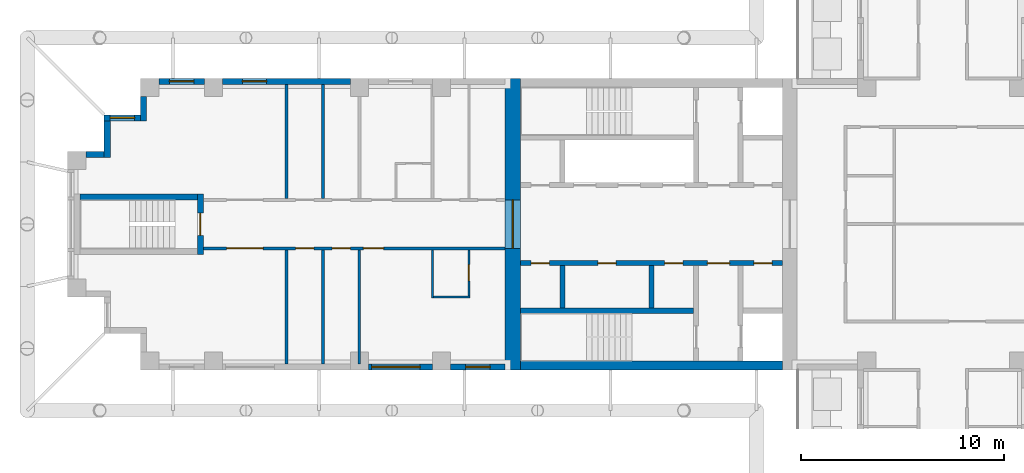
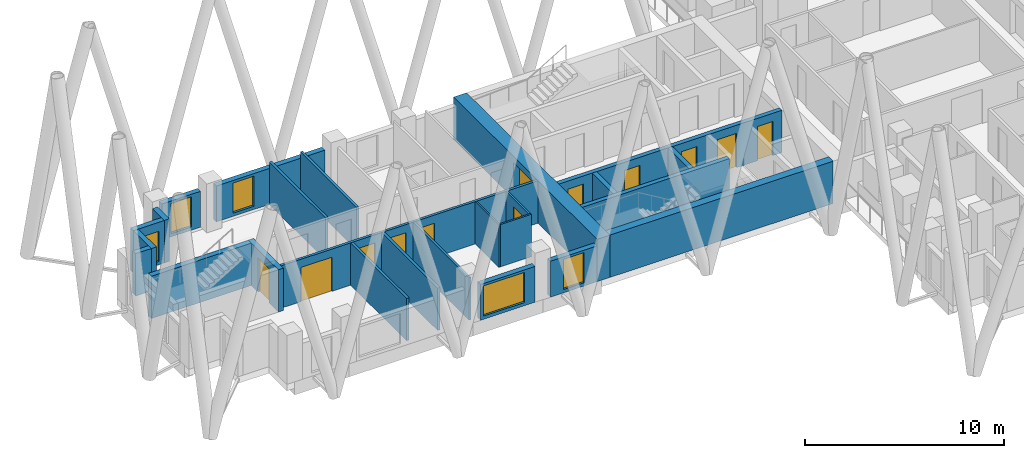
# One storey, part 3 of 13: 25 walls, 12 doors, 5 windows, 17 openings.
"""IFC4 building model written with IfcOpenShell, lengths in metres."""

from ifc_helpers import new_model, si_unit, direction, frame, frame_2d, origin, place, context, subcontext, project, spatial, rectangle, extrude, material, layer, layer_set, type_object, element, fill, save


model = new_model("IFC4")

# Units and contexts
model_context = context("Model", 3, precision=1e-05, world=origin(), true_north=direction((0.0, 1.0)))
body_context = subcontext(model_context, "Body", "Model", "MODEL_VIEW")
ifc_project = project(units=[si_unit("LENGTHUNIT", "METRE"), si_unit("AREAUNIT", "SQUARE_METRE"), si_unit("VOLUMEUNIT", "CUBIC_METRE"), si_unit("PLANEANGLEUNIT", "RADIAN"), si_unit("MASSUNIT", "GRAM", prefix="KILO")], contexts=[model_context])

# Site, building, storey
site_placement = place(None, origin())
site = spatial("IfcSite", under=ifc_project, at=site_placement, CompositionType="ELEMENT")
building_placement = place(site_placement, origin())
building = spatial("IfcBuilding", under=site, at=building_placement, Name="Fustian Cross Tower", CompositionType="ELEMENT")
storey_placement = place(building_placement, frame((0.0, 0.0, 153.300048828125)))
storey = spatial("IfcBuildingStorey", under=building, at=storey_placement, Name="L48", CompositionType="ELEMENT", Elevation=153.300048828125)

# Wall, openings, doors
ifc_material_1 = material(Name="Plasterboard on steel stud", Category="steel")
ifc_layer_1 = layer(ifc_material_1, 0.14990234375)
ifc_layer_set_1 = layer_set([ifc_layer_1], Name="Plasterboard on steel stud")
wall_type_1 = type_object("IfcWallType", Name="COMPARTMENT WALL 150 EI 60", PredefinedType="PARTITIONING", material=ifc_layer_set_1)
wall_1_placement = place(storey_placement, frame((-36.5, -1.199951171875, 0.0), z_axis=(0.0, 0.0, 1.0), x_axis=(1.0, 0.0, 0.0)))
wall_1 = element("IfcWall", 1, at=wall_1_placement, inside=storey, type_object=wall_type_1, Name="Partition 1", PredefinedType="PARTITIONING", context=body_context, shape_type="SweptSolid", body=[
    extrude(rectangle(XDim=14.89990234375, YDim=0.14990234375, at=frame_2d((7.449951171875, 0.0))), origin(), (0.0, 0.0, 1.0), 2.599853515625),
])
opening_1_placement = place(wall_1_placement, frame((7.89990234375, 0.0, 0.0)))
opening_1 = element("IfcOpeningElement", 2, at=opening_1_placement, cuts=wall_1, Name="Opening D21027", PredefinedType="OPENING", context=body_context, shape_type="SweptSolid", body=[
    extrude(rectangle(XDim=1.0, YDim=2.10009765625, at=frame_2d((0.5, 1.050048828125))), frame((0.0, 0.0849609375, 0.0), z_axis=(0.0, -1.0, 0.0), x_axis=(1.0, 0.0, 0.0)), (0.0, 0.0, 1.0), 0.169921875),
])
opening_2_placement = place(wall_1_placement, frame((6.35009765625, 0.0, 0.0)))
opening_2 = element("IfcOpeningElement", 3, at=opening_2_placement, cuts=wall_1, Name="Opening D21028", PredefinedType="OPENING", context=body_context, shape_type="SweptSolid", body=[
    extrude(rectangle(XDim=0.89990234375, YDim=2.10009765625, at=frame_2d((0.449951171875, 1.050048828125))), frame((0.0, 0.0849609375, 0.0), z_axis=(0.0, -1.0, 0.0), x_axis=(1.0, 0.0, 0.0)), (0.0, 0.0, 1.0), 0.169921875),
])
opening_3_placement = place(wall_1_placement, frame((4.550048828125, 0.0, 0.0)))
opening_3 = element("IfcOpeningElement", 4, at=opening_3_placement, cuts=wall_1, Name="Opening D21029", PredefinedType="OPENING", context=body_context, shape_type="SweptSolid", body=[
    extrude(rectangle(XDim=0.89990234375, YDim=2.10009765625, at=frame_2d((0.449951171875, 1.050048828125))), frame((0.0, 0.0849609375, 0.0), z_axis=(0.0, -1.0, 0.0), x_axis=(1.0, 0.0, 0.0)), (0.0, 0.0, 1.0), 0.169921875),
])
opening_4_placement = place(wall_1_placement, frame((1.14990234375, 0.0, 0.0)))
opening_4 = element("IfcOpeningElement", 5, at=opening_4_placement, cuts=wall_1, Name="Opening D21030", PredefinedType="OPENING", context=body_context, shape_type="SweptSolid", body=[
    extrude(rectangle(XDim=1.800048828125, YDim=2.10009765625, at=frame_2d((0.89990234375, 1.050048828125))), frame((0.0, 0.0849609375, 0.0), z_axis=(0.0, -1.0, 0.0), x_axis=(1.0, 0.0, 0.0)), (0.0, 0.0, 1.0), 0.169921875),
])
ifc_material_2 = material(Name="Timber fire door set", Category="wood")
door_type_1 = type_object("IfcDoorType", Name="FIRE DOUBLE DOOR 1800 FD30S", OperationType="DOUBLE_DOOR_DOUBLE_SWING", PredefinedType="DOOR", material=ifc_material_2)
door_1_placement = place(opening_4_placement, origin())
door_1 = element("IfcDoor", 6, at=door_1_placement, inside=storey, type_object=door_type_1, Name="Door D21030", OperationType="DOUBLE_DOOR_DOUBLE_SWING", OverallHeight=2.10009765625, OverallWidth=1.800048828125, PredefinedType="DOOR", context=body_context, shape_type="SweptSolid", body=[
    extrude(rectangle(XDim=1.800048828125, YDim=2.10009765625, at=frame_2d((0.89990234375, 1.050048828125))), frame((0.0, 0.02490234375, 0.0), z_axis=(0.0, -1.0, 0.0), x_axis=(1.0, 0.0, 0.0)), (0.0, 0.0, 1.0), 0.050048828125),
])
fill(opening_4, door_1)
ifc_material_3 = material(Name="Timber fire door set", Category="wood")
door_type_2 = type_object("IfcDoorType", Name="FIRE SWING DOOR 1000 FD30S", OperationType="SINGLE_SWING_LEFT", PredefinedType="DOOR", material=ifc_material_3)
door_2_placement = place(opening_1_placement, frame((1.0, 0.0, 0.0), z_axis=(0.0, 0.0, 1.0), x_axis=(-1.0, 0.0, 0.0)))
door_2 = element("IfcDoor", 7, at=door_2_placement, inside=storey, type_object=door_type_2, Name="Door D21027", OperationType="SINGLE_SWING_RIGHT", OverallHeight=2.10009765625, OverallWidth=1.0, PredefinedType="DOOR", context=body_context, shape_type="SweptSolid", body=[
    extrude(rectangle(XDim=1.0, YDim=2.10009765625, at=frame_2d((0.5, 1.050048828125))), frame((0.0, 0.02490234375, 0.0), z_axis=(0.0, -1.0, 0.0), x_axis=(1.0, 0.0, 0.0)), (0.0, 0.0, 1.0), 0.050048828125),
])
fill(opening_1, door_2)
ifc_material_4 = material(Name="Timber fire door set", Category="wood")
door_type_3 = type_object("IfcDoorType", Name="FIRE SWING DOOR 900 FD30S", OperationType="SINGLE_SWING_LEFT", PredefinedType="DOOR", material=ifc_material_4)
door_3_placement = place(opening_2_placement, frame((0.89990234375, 0.0, 0.0), z_axis=(0.0, 0.0, 1.0), x_axis=(-1.0, 0.0, 0.0)))
door_3 = element("IfcDoor", 8, at=door_3_placement, inside=storey, type_object=door_type_3, Name="Door D21028", OperationType="SINGLE_SWING_LEFT", OverallHeight=2.10009765625, OverallWidth=0.89990234375, PredefinedType="DOOR", context=body_context, shape_type="SweptSolid", body=[
    extrude(rectangle(XDim=0.89990234375, YDim=2.10009765625, at=frame_2d((0.449951171875, 1.050048828125))), frame((0.0, 0.02490234375, 0.0), z_axis=(0.0, -1.0, 0.0), x_axis=(1.0, 0.0, 0.0)), (0.0, 0.0, 1.0), 0.050048828125),
])
fill(opening_2, door_3)
door_4_placement = place(opening_3_placement, frame((0.89990234375, 0.0, 0.0), z_axis=(0.0, 0.0, 1.0), x_axis=(-1.0, 0.0, 0.0)))
door_4 = element("IfcDoor", 9, at=door_4_placement, inside=storey, type_object=door_type_3, Name="Door D21029", OperationType="SINGLE_SWING_LEFT", OverallHeight=2.10009765625, OverallWidth=0.89990234375, PredefinedType="DOOR", context=body_context, shape_type="SweptSolid", body=[
    extrude(rectangle(XDim=0.89990234375, YDim=2.10009765625, at=frame_2d((0.449951171875, 1.050048828125))), frame((0.0, 0.02490234375, 0.0), z_axis=(0.0, -1.0, 0.0), x_axis=(1.0, 0.0, 0.0)), (0.0, 0.0, 1.0), 0.050048828125),
])
fill(opening_3, door_4)

# Walls
for number, where, z_axis, x_axis, name in (
    (10, (-32.39990234375, -6.89990234375, 0.0), (0.0, 0.0, 1.0), (0.0, 1.0, 0.0), "Partition 3"),
    (11, (-32.39990234375, 1.27490234375, 0.0), (0.0, 0.0, 1.0), (0.0, 1.0, 0.0), "Partition 4"),
    (12, (-30.60009765625, -6.89990234375, 0.0), (0.0, 0.0, 1.0), (0.0, 1.0, 0.0), "Partition 5"),
    (13, (-30.60009765625, 1.27490234375, 0.0), (0.0, 0.0, 1.0), (0.0, 1.0, 0.0), "Partition 6"),
):
    element("IfcWall", number, at=place(storey_placement, frame(where, z_axis=z_axis, x_axis=x_axis)), inside=storey, type_object=wall_type_1, Name=name, PredefinedType="PARTITIONING", context=body_context, shape_type="SweptSolid", body=[
        extrude(rectangle(XDim=5.625, YDim=0.14990234375, at=frame_2d((2.8125, 0.0))), origin(), (0.0, 0.0, 1.0), 2.599853515625),
    ])

# Wall, opening, door
ifc_material_5 = material(Name="Concrete C60/75", Category="concrete")
ifc_layer_2 = layer(ifc_material_5, 0.75)
ifc_layer_set_2 = layer_set([ifc_layer_2], Name="Concrete C60/75")
wall_type_2 = type_object("IfcWallType", Name="CORE END WALL 750 C60/75", PredefinedType="SHEAR", material=ifc_layer_set_2)
wall_2_placement = place(storey_placement, frame((-21.22509765625, -7.199951171875, 0.0), z_axis=(0.0, 0.0, 1.0), x_axis=(0.0, 1.0, 0.0)))
wall_2 = element("IfcWall", 14, at=wall_2_placement, inside=storey, type_object=wall_type_2, Name="Core end wall", PredefinedType="SHEAR", context=body_context, shape_type="SweptSolid", body=[
    extrude(rectangle(XDim=14.39990234375, YDim=0.75, at=frame_2d((7.199951171875, 0.0))), origin(), (0.0, 0.0, 1.0), 2.599853515625),
])
opening_5_placement = place(wall_2_placement, frame((6.0, 0.0, 0.0)))
opening_5 = element("IfcOpeningElement", 15, at=opening_5_placement, cuts=wall_2, Name="Opening CD-16-30", PredefinedType="OPENING", context=body_context, shape_type="SweptSolid", body=[
    extrude(rectangle(XDim=2.39990234375, YDim=2.199951171875, at=frame_2d((1.199951171875, 1.10009765625))), frame((0.0, 0.385009765625, 0.0), z_axis=(0.0, -1.0, 0.0), x_axis=(1.0, 0.0, 0.0)), (0.0, 0.0, 1.0), 0.77001953125),
])
ifc_material_6 = material(Name="Steel", Category="steel")
door_type_4 = type_object("IfcDoorType", Name="FIRE DOOR FD30S DOUBLE 2400X2200", OperationType="DOUBLE_DOOR_DOUBLE_SWING", PredefinedType="DOOR", material=ifc_material_6)
door_5_placement = place(opening_5_placement, frame((2.39990234375, 0.0, 0.0), z_axis=(0.0, 0.0, 1.0), x_axis=(-1.0, 0.0, 0.0)))
door_5 = element("IfcDoor", 16, at=door_5_placement, inside=storey, type_object=door_type_4, Name="Core door CD-16-30", OperationType="DOUBLE_DOOR_DOUBLE_SWING", OverallHeight=2.199951171875, OverallWidth=2.39990234375, PredefinedType="DOOR", context=body_context, shape_type="SweptSolid", body=[
    extrude(rectangle(XDim=2.39990234375, YDim=2.199951171875, at=frame_2d((1.199951171875, 1.10009765625))), frame((0.0, 0.02490234375, 0.0), z_axis=(0.0, -1.0, 0.0), x_axis=(1.0, 0.0, 0.0)), (0.0, 0.0, 1.0), 0.050048828125),
])
fill(opening_5, door_5)

# Wall
ifc_material_7 = material(Name="Concrete C60/75", Category="concrete")
ifc_layer_3 = layer(ifc_material_7, 0.449951171875)
ifc_layer_set_3 = layer_set([ifc_layer_3], Name="Concrete C60/75")
wall_type_3 = type_object("IfcWallType", Name="CORE FACADE WALL 450 C60/75", PredefinedType="SHEAR", material=ifc_layer_set_3)
wall_3_placement = place(storey_placement, frame((-7.89990234375, -6.97509765625, 0.0), z_axis=(0.0, 0.0, 1.0), x_axis=(-1.0, 0.0, 0.0)))
element("IfcWall", 17, at=wall_3_placement, inside=storey, type_object=wall_type_3, Name="Core facade wall", PredefinedType="SHEAR", context=body_context, shape_type="SweptSolid", body=[
    extrude(rectangle(XDim=12.9501953125, YDim=0.449951171875, at=frame_2d((6.47509765625, 0.0))), origin(), (0.0, 0.0, 1.0), 2.599853515625),
])

# Wall, openings, doors
ifc_material_8 = material(Name="Concrete C50/60", Category="concrete")
ifc_layer_4 = layer(ifc_material_8, 0.25)
ifc_layer_set_4 = layer_set([ifc_layer_4], Name="Concrete C50/60")
wall_type_4 = type_object("IfcWallType", Name="CORE LOBBY WALL 250 C50/60", PredefinedType="SHEAR", material=ifc_layer_set_4)
wall_4_placement = place(storey_placement, frame((-7.89990234375, -1.925048828125, 0.0), z_axis=(0.0, 0.0, 1.0), x_axis=(-1.0, 0.0, 0.0)))
wall_4 = element("IfcWall", 18, at=wall_4_placement, inside=storey, type_object=wall_type_4, Name="Core lobby wall", PredefinedType="SHEAR", context=body_context, shape_type="SweptSolid", body=[
    extrude(rectangle(XDim=12.9501953125, YDim=0.25, at=frame_2d((6.47509765625, 0.0))), origin(), (0.0, 0.0, 1.0), 2.599853515625),
])
opening_6_placement = place(wall_4_placement, frame((0.52490234375, 0.0, 0.0)))
opening_6 = element("IfcOpeningElement", 19, at=opening_6_placement, cuts=wall_4, Name="Opening CD-16-26", PredefinedType="OPENING", context=body_context, shape_type="SweptSolid", body=[
    extrude(rectangle(XDim=0.89990234375, YDim=2.10009765625, at=frame_2d((0.449951171875, 1.050048828125))), frame((0.0, 0.135009765625, 0.0), z_axis=(0.0, -1.0, 0.0), x_axis=(1.0, 0.0, 0.0)), (0.0, 0.0, 1.0), 0.27001953125),
])
opening_7_placement = place(wall_4_placement, frame((2.625, 0.0, 0.0)))
opening_7 = element("IfcOpeningElement", 20, at=opening_7_placement, cuts=wall_4, Name="Opening CD-16-28", PredefinedType="OPENING", context=body_context, shape_type="SweptSolid", body=[
    extrude(rectangle(XDim=1.10009765625, YDim=2.10009765625, at=frame_2d((0.550048828125, 1.050048828125))), frame((0.0, 0.135009765625, 0.0), z_axis=(0.0, -1.0, 0.0), x_axis=(1.0, 0.0, 0.0)), (0.0, 0.0, 1.0), 0.27001953125),
])
opening_8_placement = place(wall_4_placement, frame((4.925048828125, 0.0, 0.0)))
opening_8 = element("IfcOpeningElement", 21, at=opening_8_placement, cuts=wall_4, Name="Opening CD-16-32", PredefinedType="OPENING", context=body_context, shape_type="SweptSolid", body=[
    extrude(rectangle(XDim=0.89990234375, YDim=2.10009765625, at=frame_2d((0.449951171875, 1.050048828125))), frame((0.0, 0.135009765625, 0.0), z_axis=(0.0, -1.0, 0.0), x_axis=(1.0, 0.0, 0.0)), (0.0, 0.0, 1.0), 0.27001953125),
])
opening_9_placement = place(wall_4_placement, frame((8.22509765625, 0.0, 0.0)))
opening_9 = element("IfcOpeningElement", 22, at=opening_9_placement, cuts=wall_4, Name="Opening CD-16-33", PredefinedType="OPENING", context=body_context, shape_type="SweptSolid", body=[
    extrude(rectangle(XDim=0.89990234375, YDim=2.10009765625, at=frame_2d((0.449951171875, 1.050048828125))), frame((0.0, 0.135009765625, 0.0), z_axis=(0.0, -1.0, 0.0), x_axis=(1.0, 0.0, 0.0)), (0.0, 0.0, 1.0), 0.27001953125),
])
opening_10_placement = place(wall_4_placement, frame((11.52490234375, 0.0, 0.0)))
opening_10 = element("IfcOpeningElement", 23, at=opening_10_placement, cuts=wall_4, Name="Opening CD-16-34", PredefinedType="OPENING", context=body_context, shape_type="SweptSolid", body=[
    extrude(rectangle(XDim=0.89990234375, YDim=2.10009765625, at=frame_2d((0.449951171875, 1.050048828125))), frame((0.0, 0.135009765625, 0.0), z_axis=(0.0, -1.0, 0.0), x_axis=(1.0, 0.0, 0.0)), (0.0, 0.0, 1.0), 0.27001953125),
])
ifc_material_9 = material(Name="Steel", Category="steel")
door_type_5 = type_object("IfcDoorType", Name="FIRE DOOR FD30S 1100X2100", OperationType="SINGLE_SWING_LEFT", PredefinedType="DOOR", material=ifc_material_9)
door_6_placement = place(opening_7_placement, frame((1.10009765625, 0.0, 0.0), z_axis=(0.0, 0.0, 1.0), x_axis=(-1.0, 0.0, 0.0)))
door_6 = element("IfcDoor", 24, at=door_6_placement, inside=storey, type_object=door_type_5, Name="Core door CD-16-28", OperationType="SINGLE_SWING_RIGHT", OverallHeight=2.10009765625, OverallWidth=1.10009765625, PredefinedType="DOOR", context=body_context, shape_type="SweptSolid", body=[
    extrude(rectangle(XDim=1.10009765625, YDim=2.10009765625, at=frame_2d((0.550048828125, 1.050048828125))), frame((0.0, 0.02490234375, 0.0), z_axis=(0.0, -1.0, 0.0), x_axis=(1.0, 0.0, 0.0)), (0.0, 0.0, 1.0), 0.050048828125),
])
fill(opening_7, door_6)
ifc_material_10 = material(Name="Steel", Category="steel")
door_type_6 = type_object("IfcDoorType", Name="FIRE DOOR FD30S 900X2100", OperationType="SINGLE_SWING_LEFT", PredefinedType="DOOR", material=ifc_material_10)
door_7_placement = place(opening_6_placement, origin())
door_7 = element("IfcDoor", 25, at=door_7_placement, inside=storey, type_object=door_type_6, Name="Core door CD-16-26", OperationType="SINGLE_SWING_LEFT", OverallHeight=2.10009765625, OverallWidth=0.89990234375, PredefinedType="DOOR", context=body_context, shape_type="SweptSolid", body=[
    extrude(rectangle(XDim=0.89990234375, YDim=2.10009765625, at=frame_2d((0.449951171875, 1.050048828125))), frame((0.0, 0.02490234375, 0.0), z_axis=(0.0, -1.0, 0.0), x_axis=(1.0, 0.0, 0.0)), (0.0, 0.0, 1.0), 0.050048828125),
])
fill(opening_6, door_7)
door_8_placement = place(opening_8_placement, origin())
door_8 = element("IfcDoor", 26, at=door_8_placement, inside=storey, type_object=door_type_6, Name="Core door CD-16-32", OperationType="SINGLE_SWING_LEFT", OverallHeight=2.10009765625, OverallWidth=0.89990234375, PredefinedType="DOOR", context=body_context, shape_type="SweptSolid", body=[
    extrude(rectangle(XDim=0.89990234375, YDim=2.10009765625, at=frame_2d((0.449951171875, 1.050048828125))), frame((0.0, 0.02490234375, 0.0), z_axis=(0.0, -1.0, 0.0), x_axis=(1.0, 0.0, 0.0)), (0.0, 0.0, 1.0), 0.050048828125),
])
fill(opening_8, door_8)
door_9_placement = place(opening_9_placement, origin())
door_9 = element("IfcDoor", 27, at=door_9_placement, inside=storey, type_object=door_type_6, Name="Core door CD-16-33", OperationType="SINGLE_SWING_RIGHT", OverallHeight=2.10009765625, OverallWidth=0.89990234375, PredefinedType="DOOR", context=body_context, shape_type="SweptSolid", body=[
    extrude(rectangle(XDim=0.89990234375, YDim=2.10009765625, at=frame_2d((0.449951171875, 1.050048828125))), frame((0.0, 0.02490234375, 0.0), z_axis=(0.0, -1.0, 0.0), x_axis=(1.0, 0.0, 0.0)), (0.0, 0.0, 1.0), 0.050048828125),
])
fill(opening_9, door_9)
door_10_placement = place(opening_10_placement, origin())
door_10 = element("IfcDoor", 28, at=door_10_placement, inside=storey, type_object=door_type_6, Name="Core door CD-16-34", OperationType="SINGLE_SWING_LEFT", OverallHeight=2.10009765625, OverallWidth=0.89990234375, PredefinedType="DOOR", context=body_context, shape_type="SweptSolid", body=[
    extrude(rectangle(XDim=0.89990234375, YDim=2.10009765625, at=frame_2d((0.449951171875, 1.050048828125))), frame((0.0, 0.02490234375, 0.0), z_axis=(0.0, -1.0, 0.0), x_axis=(1.0, 0.0, 0.0)), (0.0, 0.0, 1.0), 0.050048828125),
])
fill(opening_10, door_10)

# Walls
ifc_material_11 = material(Name="Concrete C50/60", Category="concrete")
ifc_layer_5 = layer(ifc_material_11, 0.25)
ifc_layer_set_5 = layer_set([ifc_layer_5], Name="Concrete C50/60")
wall_type_5 = type_object("IfcWallType", Name="CORE SHAFT WALL 250 C50/60", PredefinedType="SHEAR", material=ifc_layer_set_5)
wall_5_placement = place(storey_placement, frame((-12.300048828125, -4.27490234375, 0.0), z_axis=(0.0, 0.0, 1.0), x_axis=(-1.0, 0.0, 0.0)))
element("IfcWall", 29, at=wall_5_placement, inside=storey, type_object=wall_type_5, Name="Core shaft wall", PredefinedType="SHEAR", context=body_context, shape_type="SweptSolid", body=[
    extrude(rectangle(XDim=8.550048828125, YDim=0.25, at=frame_2d((4.27490234375, 0.0))), origin(), (0.0, 0.0, 1.0), 2.599853515625),
])
ifc_material_12 = material(Name="Plasterboard on steel stud", Category="steel")
ifc_layer_6 = layer(ifc_material_12, 0.10009765625)
ifc_layer_set_6 = layer_set([ifc_layer_6], Name="Plasterboard on steel stud")
wall_type_6 = type_object("IfcWallType", Name="PARTITION 100 STUD", PredefinedType="PARTITIONING", material=ifc_layer_set_6)
wall_6_placement = place(storey_placement, frame((-25.199951171875, -3.64990234375, 0.0), z_axis=(0.0, 0.0, 1.0), x_axis=(0.0, 1.0, 0.0)))
element("IfcWall", 30, at=wall_6_placement, inside=storey, type_object=wall_type_6, Name="Partition 11", PredefinedType="PARTITIONING", context=body_context, shape_type="SweptSolid", body=[
    extrude(rectangle(XDim=2.375, YDim=0.10009765625, at=frame_2d((1.1875, 0.0))), origin(), (0.0, 0.0, 1.0), 2.599853515625),
])
wall_7_placement = place(storey_placement, frame((-25.14990234375, -3.60009765625, 0.0), z_axis=(0.0, 0.0, 1.0), x_axis=(1.0, 0.0, 0.0)))
element("IfcWall", 31, at=wall_7_placement, inside=storey, type_object=wall_type_6, Name="Partition 12", PredefinedType="PARTITIONING", context=body_context, shape_type="SweptSolid", body=[
    extrude(rectangle(XDim=1.7998046875, YDim=0.10009765625, at=frame_2d((0.89990234375, 0.0))), origin(), (0.0, 0.0, 1.0), 2.599853515625),
])

# Wall, opening, door
wall_8_placement = place(storey_placement, frame((-23.39990234375, -3.550048828125, 0.0), z_axis=(0.0, 0.0, 1.0), x_axis=(0.0, 1.0, 0.0)))
wall_8 = element("IfcWall", 32, at=wall_8_placement, inside=storey, type_object=wall_type_6, Name="Partition 14", PredefinedType="PARTITIONING", context=body_context, shape_type="SweptSolid", body=[
    extrude(rectangle(XDim=2.275146484375, YDim=0.10009765625, at=frame_2d((1.1376953125, 0.0))), origin(), (0.0, 0.0, 1.0), 2.599853515625),
])
opening_11_placement = place(wall_8_placement, frame((0.75, 0.0, 0.0)))
opening_11 = element("IfcOpeningElement", 33, at=opening_11_placement, cuts=wall_8, Name="Opening D21026", PredefinedType="OPENING", context=body_context, shape_type="SweptSolid", body=[
    extrude(rectangle(XDim=0.800048828125, YDim=2.10009765625, at=frame_2d((0.39990234375, 1.050048828125))), frame((0.0, 0.06005859375, 0.0), z_axis=(0.0, -1.0, 0.0), x_axis=(1.0, 0.0, 0.0)), (0.0, 0.0, 1.0), 0.1201171875),
])
ifc_material_13 = material(Name="Painted timber", Category="wood")
door_type_7 = type_object("IfcDoorType", Name="SWING DOOR 800", OperationType="SINGLE_SWING_LEFT", PredefinedType="DOOR", material=ifc_material_13)
door_11_placement = place(opening_11_placement, origin())
door_11 = element("IfcDoor", 34, at=door_11_placement, inside=storey, type_object=door_type_7, Name="Door D21026", OperationType="SINGLE_SWING_LEFT", OverallHeight=2.10009765625, OverallWidth=0.800048828125, PredefinedType="DOOR", context=body_context, shape_type="SweptSolid", body=[
    extrude(rectangle(XDim=0.800048828125, YDim=2.10009765625, at=frame_2d((0.39990234375, 1.050048828125))), frame((0.0, 0.02490234375, 0.0), z_axis=(0.0, -1.0, 0.0), x_axis=(1.0, 0.0, 0.0)), (0.0, 0.0, 1.0), 0.050048828125),
])
fill(opening_11, door_11)

# Walls
ifc_material_14 = material(Name="Concrete C40/50", Category="concrete")
ifc_layer_7 = layer(ifc_material_14, 0.25)
ifc_layer_set_7 = layer_set([ifc_layer_7], Name="Concrete C40/50")
wall_type_7 = type_object("IfcWallType", Name="SHAFT PARTITION WALL 250 C40/50", PredefinedType="PARTITIONING", material=ifc_layer_set_7)
for number, where, z_axis, x_axis, name in (
    (35, (-14.375, -2.050048828125, 0.0), (0.0, 0.0, 1.0), (0.0, -1.0, 0.0), "Core shaft wall"),
    (36, (-18.77490234375, -2.050048828125, 0.0), (0.0, 0.0, 1.0), (0.0, -1.0, 0.0), "Core shaft wall"),
):
    element("IfcWall", number, at=place(storey_placement, frame(where, z_axis=z_axis, x_axis=x_axis)), inside=storey, type_object=wall_type_7, Name=name, PredefinedType="PARTITIONING", context=body_context, shape_type="SweptSolid", body=[
        extrude(rectangle(XDim=2.099853515625, YDim=0.25, at=frame_2d((1.0498046875, 0.0))), origin(), (0.0, 0.0, 1.0), 2.599853515625),
    ])

# Wall, opening, door
ifc_material_15 = material(Name="Concrete C50/60", Category="concrete")
ifc_layer_8 = layer(ifc_material_15, 0.300048828125)
ifc_layer_set_8 = layer_set([ifc_layer_8], Name="Concrete C50/60")
wall_type_8 = type_object("IfcWallType", Name="STAIR ENCLOSURE WALL 300 C50/60", PredefinedType="SHEAR", material=ifc_layer_set_8)
wall_9_placement = place(storey_placement, frame((-36.64990234375, -1.5, 0.0), z_axis=(0.0, 0.0, 1.0), x_axis=(0.0, 1.0, 0.0)))
wall_9 = element("IfcWall", 37, at=wall_9_placement, inside=storey, type_object=wall_type_8, Name="Stair enclosure wall", PredefinedType="SHEAR", context=body_context, shape_type="SweptSolid", body=[
    extrude(rectangle(XDim=3.0, YDim=0.300048828125, at=frame_2d((1.5, 0.0))), origin(), (0.0, 0.0, 1.0), 2.599853515625),
])
opening_12_placement = place(wall_9_placement, frame((0.949951171875, 0.0, 0.0)))
opening_12 = element("IfcOpeningElement", 38, at=opening_12_placement, cuts=wall_9, Name="Opening CD-16-36", PredefinedType="OPENING", context=body_context, shape_type="SweptSolid", body=[
    extrude(rectangle(XDim=1.10009765625, YDim=2.10009765625, at=frame_2d((0.550048828125, 1.050048828125))), frame((0.0, 0.159912109375, 0.0), z_axis=(0.0, -1.0, 0.0), x_axis=(1.0, 0.0, 0.0)), (0.0, 0.0, 1.0), 0.320068359375),
])
ifc_material_16 = material(Name="Steel", Category="steel")
door_type_8 = type_object("IfcDoorType", Name="FIRE DOOR FD60S 1100X2100", OperationType="SINGLE_SWING_LEFT", PredefinedType="DOOR", material=ifc_material_16)
door_12_placement = place(opening_12_placement, origin())
door_12 = element("IfcDoor", 39, at=door_12_placement, inside=storey, type_object=door_type_8, Name="Core door CD-16-36", OperationType="SINGLE_SWING_LEFT", OverallHeight=2.10009765625, OverallWidth=1.10009765625, PredefinedType="DOOR", context=body_context, shape_type="SweptSolid", body=[
    extrude(rectangle(XDim=1.10009765625, YDim=2.10009765625, at=frame_2d((0.550048828125, 1.050048828125))), frame((0.0, 0.02490234375, 0.0), z_axis=(0.0, -1.0, 0.0), x_axis=(1.0, 0.0, 0.0)), (0.0, 0.0, 1.0), 0.050048828125),
])
fill(opening_12, door_12)

# Walls
wall_10_placement = place(storey_placement, frame((-36.800048828125, 1.35009765625, 0.0), z_axis=(0.0, 0.0, 1.0), x_axis=(-1.0, 0.0, 0.0)))
element("IfcWall", 40, at=wall_10_placement, inside=storey, type_object=wall_type_8, Name="Stair enclosure wall", PredefinedType="SHEAR", context=body_context, shape_type="SweptSolid", body=[
    extrude(rectangle(XDim=5.800048828125, YDim=0.300048828125, at=frame_2d((2.89990234375, 0.0))), origin(), (0.0, 0.0, 1.0), 2.599853515625),
])
ifc_material_17 = material(Name="Plasterboard on steel stud", Category="steel")
ifc_layer_9 = layer(ifc_material_17, 0.125)
ifc_layer_set_9 = layer_set([ifc_layer_9], Name="Plasterboard on steel stud")
wall_type_9 = type_object("IfcWallType", Name="WET WALL 125 STUD", PredefinedType="PARTITIONING", material=ifc_layer_set_9)
wall_11_placement = place(storey_placement, frame((-28.800048828125, -6.89990234375, 0.0), z_axis=(0.0, 0.0, 1.0), x_axis=(0.0, 1.0, 0.0)))
element("IfcWall", 41, at=wall_11_placement, inside=storey, type_object=wall_type_9, Name="Partition 7", PredefinedType="PARTITIONING", context=body_context, shape_type="SweptSolid", body=[
    extrude(rectangle(XDim=5.625, YDim=0.125, at=frame_2d((2.8125, 0.0))), origin(), (0.0, 0.0, 1.0), 2.599853515625),
])

# Wall, opening, window
ifc_material_18 = material(Name="Dark aluminium cladding on insulated backing wall", Category="aluminium")
ifc_layer_10 = layer(ifc_material_18, 0.300048828125)
ifc_layer_set_10 = layer_set([ifc_layer_10], Name="Dark aluminium cladding on insulated backing wall")
wall_type_10 = type_object("IfcWallType", Name="XW1 EXTERNAL WALL 300", PredefinedType="SOLIDWALL", material=ifc_layer_set_10)
wall_12_placement = place(storey_placement, frame((-29.25, 7.050048828125, 0.0), z_axis=(0.0, 0.0, 1.0), x_axis=(-1.0, 0.0, 0.0)))
wall_12 = element("IfcWall", 42, at=wall_12_placement, inside=storey, type_object=wall_type_10, Name="External wall", PredefinedType="SOLIDWALL", context=body_context, shape_type="SweptSolid", body=[
    extrude(rectangle(XDim=6.300048828125, YDim=0.300048828125, at=frame_2d((3.14990234375, 0.0))), origin(), (0.0, 0.0, 1.0), 2.199951171875),
])
opening_13_placement = place(wall_12_placement, frame((4.125, 0.0, 0.199951171875)))
opening_13 = element("IfcOpeningElement", 43, at=opening_13_placement, cuts=wall_12, Name="Opening WN3", PredefinedType="OPENING", context=body_context, shape_type="SweptSolid", body=[
    extrude(rectangle(XDim=1.199951171875, YDim=1.85009765625, at=frame_2d((0.60009765625, 0.925048828125))), frame((0.0, 0.159912109375, 0.0), z_axis=(0.0, -1.0, 0.0), x_axis=(1.0, 0.0, 0.0)), (0.0, 0.0, 1.0), 0.320068359375),
])
ifc_material_19 = material(Name="Dark anodised aluminium and double glazing", Category="aluminium")
window_type_1 = type_object("IfcWindowType", Name="WN3 WINDOW 1200X1850", PartitioningType="SINGLE_PANEL", PredefinedType="WINDOW", material=ifc_material_19)
window_1_placement = place(opening_13_placement, origin())
window_1 = element("IfcWindow", 44, at=window_1_placement, inside=storey, type_object=window_type_1, Name="Window", OverallHeight=1.85009765625, OverallWidth=1.199951171875, PartitioningType="SINGLE_PANEL", PredefinedType="WINDOW", context=body_context, shape_type="SweptSolid", body=[
    extrude(rectangle(XDim=1.199951171875, YDim=1.85009765625, at=frame_2d((0.60009765625, 0.925048828125))), frame((0.0, 0.030029296875, 0.0), z_axis=(0.0, -1.0, 0.0), x_axis=(1.0, 0.0, 0.0)), (0.0, 0.0, 1.0), 0.06005859375),
])
fill(opening_13, window_1)

wall_13_placement = place(storey_placement, frame((-36.449951171875, 7.050048828125, 0.0), z_axis=(0.0, 0.0, 1.0), x_axis=(-1.0, 0.0, 0.0)))
wall_13 = element("IfcWall", 45, at=wall_13_placement, inside=storey, type_object=wall_type_10, Name="External wall", PredefinedType="SOLIDWALL", context=body_context, shape_type="SweptSolid", body=[
    extrude(rectangle(XDim=2.25, YDim=0.300048828125, at=frame_2d((1.125, 0.0))), origin(), (0.0, 0.0, 1.0), 2.199951171875),
])
opening_14_placement = place(wall_13_placement, frame((0.52490234375, 0.0, 0.199951171875)))
opening_14 = element("IfcOpeningElement", 46, at=opening_14_placement, cuts=wall_13, Name="Opening WN3", PredefinedType="OPENING", context=body_context, shape_type="SweptSolid", body=[
    extrude(rectangle(XDim=1.199951171875, YDim=1.85009765625, at=frame_2d((0.60009765625, 0.925048828125))), frame((0.0, 0.159912109375, 0.0), z_axis=(0.0, -1.0, 0.0), x_axis=(1.0, 0.0, 0.0)), (0.0, 0.0, 1.0), 0.320068359375),
])
window_2_placement = place(opening_14_placement, origin())
window_2 = element("IfcWindow", 47, at=window_2_placement, inside=storey, type_object=window_type_1, Name="Window", OverallHeight=1.85009765625, OverallWidth=1.199951171875, PartitioningType="SINGLE_PANEL", PredefinedType="WINDOW", context=body_context, shape_type="SweptSolid", body=[
    extrude(rectangle(XDim=1.199951171875, YDim=1.85009765625, at=frame_2d((0.60009765625, 0.925048828125))), frame((0.0, 0.030029296875, 0.0), z_axis=(0.0, -1.0, 0.0), x_axis=(1.0, 0.0, 0.0)), (0.0, 0.0, 1.0), 0.06005859375),
])
fill(opening_14, window_2)

# Wall
wall_14_placement = place(storey_placement, frame((-39.449951171875, 6.300048828125, 0.0), z_axis=(0.0, 0.0, 1.0), x_axis=(0.0, -1.0, 0.0)))
element("IfcWall", 48, at=wall_14_placement, inside=storey, type_object=wall_type_10, Name="External wall", PredefinedType="SOLIDWALL", context=body_context, shape_type="SweptSolid", body=[
    extrude(rectangle(XDim=1.199951171875, YDim=0.300048828125, at=frame_2d((0.60009765625, 0.0))), origin(), (0.0, 0.0, 1.0), 2.599853515625),
])

# Wall, opening, window
wall_15_placement = place(storey_placement, frame((-39.60009765625, 5.25, 0.0), z_axis=(0.0, 0.0, 1.0), x_axis=(-1.0, 0.0, 0.0)))
wall_15 = element("IfcWall", 49, at=wall_15_placement, inside=storey, type_object=wall_type_10, Name="External wall", PredefinedType="SOLIDWALL", context=body_context, shape_type="SweptSolid", body=[
    extrude(rectangle(XDim=1.7998046875, YDim=0.300048828125, at=frame_2d((0.89990234375, 0.0))), origin(), (0.0, 0.0, 1.0), 2.599853515625),
])
opening_15_placement = place(wall_15_placement, frame((0.300048828125, 0.0, 0.199951171875)))
opening_15 = element("IfcOpeningElement", 50, at=opening_15_placement, cuts=wall_15, Name="Opening WN3", PredefinedType="OPENING", context=body_context, shape_type="SweptSolid", body=[
    extrude(rectangle(XDim=1.199951171875, YDim=1.85009765625, at=frame_2d((0.60009765625, 0.925048828125))), frame((0.0, 0.159912109375, 0.0), z_axis=(0.0, -1.0, 0.0), x_axis=(1.0, 0.0, 0.0)), (0.0, 0.0, 1.0), 0.320068359375),
])
window_3_placement = place(opening_15_placement, origin())
window_3 = element("IfcWindow", 51, at=window_3_placement, inside=storey, type_object=window_type_1, Name="Window", OverallHeight=1.85009765625, OverallWidth=1.199951171875, PartitioningType="SINGLE_PANEL", PredefinedType="WINDOW", context=body_context, shape_type="SweptSolid", body=[
    extrude(rectangle(XDim=1.199951171875, YDim=1.85009765625, at=frame_2d((0.60009765625, 0.925048828125))), frame((0.0, 0.030029296875, 0.0), z_axis=(0.0, -1.0, 0.0), x_axis=(1.0, 0.0, 0.0)), (0.0, 0.0, 1.0), 0.06005859375),
])
fill(opening_15, window_3)

# Walls
wall_16_placement = place(storey_placement, frame((-41.25, 5.10009765625, 0.0), z_axis=(0.0, 0.0, 1.0), x_axis=(0.0, -1.0, 0.0)))
element("IfcWall", 52, at=wall_16_placement, inside=storey, type_object=wall_type_10, Name="External wall", PredefinedType="SOLIDWALL", context=body_context, shape_type="SweptSolid", body=[
    extrude(rectangle(XDim=1.800048828125, YDim=0.300048828125, at=frame_2d((0.89990234375, 0.0))), origin(), (0.0, 0.0, 1.0), 2.599853515625),
])
wall_17_placement = place(storey_placement, frame((-41.39990234375, 3.449951171875, 0.0), z_axis=(0.0, 0.0, 1.0), x_axis=(-1.0, 0.0, 0.0)))
element("IfcWall", 53, at=wall_17_placement, inside=storey, type_object=wall_type_10, Name="External wall", PredefinedType="SOLIDWALL", context=body_context, shape_type="SweptSolid", body=[
    extrude(rectangle(XDim=0.900146484375, YDim=0.300048828125, at=frame_2d((0.4501953125, 0.0))), origin(), (0.0, 0.0, 1.0), 2.599853515625),
])

# Wall, opening, window
wall_18_placement = place(storey_placement, frame((-28.35009765625, -7.050048828125, 0.0), z_axis=(0.0, 0.0, 1.0), x_axis=(1.0, 0.0, 0.0)))
wall_18 = element("IfcWall", 54, at=wall_18_placement, inside=storey, type_object=wall_type_10, Name="External wall", PredefinedType="SOLIDWALL", context=body_context, shape_type="SweptSolid", body=[
    extrude(rectangle(XDim=3.150146484375, YDim=0.300048828125, at=frame_2d((1.5751953125, 0.0))), origin(), (0.0, 0.0, 1.0), 2.199951171875),
])
opening_16_placement = place(wall_18_placement, frame((0.14990234375, 0.0, 0.199951171875)))
opening_16 = element("IfcOpeningElement", 55, at=opening_16_placement, cuts=wall_18, Name="Opening WN1", PredefinedType="OPENING", context=body_context, shape_type="SweptSolid", body=[
    extrude(rectangle(XDim=2.39990234375, YDim=1.85009765625, at=frame_2d((1.199951171875, 0.925048828125))), frame((0.0, 0.159912109375, 0.0), z_axis=(0.0, -1.0, 0.0), x_axis=(1.0, 0.0, 0.0)), (0.0, 0.0, 1.0), 0.320068359375),
])
ifc_material_20 = material(Name="Dark anodised aluminium and double glazing", Category="aluminium")
window_type_2 = type_object("IfcWindowType", Name="WN1 WINDOW 2400X1850", PartitioningType="SINGLE_PANEL", PredefinedType="WINDOW", material=ifc_material_20)
window_4_placement = place(opening_16_placement, origin())
window_4 = element("IfcWindow", 56, at=window_4_placement, inside=storey, type_object=window_type_2, Name="Window", OverallHeight=1.85009765625, OverallWidth=2.39990234375, PartitioningType="SINGLE_PANEL", PredefinedType="WINDOW", context=body_context, shape_type="SweptSolid", body=[
    extrude(rectangle(XDim=2.39990234375, YDim=1.85009765625, at=frame_2d((1.199951171875, 0.925048828125))), frame((0.0, 0.030029296875, 0.0), z_axis=(0.0, -1.0, 0.0), x_axis=(1.0, 0.0, 0.0)), (0.0, 0.0, 1.0), 0.06005859375),
])
fill(opening_16, window_4)

wall_19_placement = place(storey_placement, frame((-24.300048828125, -7.050048828125, 0.0), z_axis=(0.0, 0.0, 1.0), x_axis=(1.0, 0.0, 0.0)))
wall_19 = element("IfcWall", 57, at=wall_19_placement, inside=storey, type_object=wall_type_10, Name="External wall", PredefinedType="SOLIDWALL", context=body_context, shape_type="SweptSolid", body=[
    extrude(rectangle(XDim=2.699951171875, YDim=0.300048828125, at=frame_2d((1.35009765625, 0.0))), origin(), (0.0, 0.0, 1.0), 2.199951171875),
])
opening_17_placement = place(wall_19_placement, frame((0.75, 0.0, 0.199951171875)))
opening_17 = element("IfcOpeningElement", 58, at=opening_17_placement, cuts=wall_19, Name="Opening WN3", PredefinedType="OPENING", context=body_context, shape_type="SweptSolid", body=[
    extrude(rectangle(XDim=1.199951171875, YDim=1.85009765625, at=frame_2d((0.60009765625, 0.925048828125))), frame((0.0, 0.159912109375, 0.0), z_axis=(0.0, -1.0, 0.0), x_axis=(1.0, 0.0, 0.0)), (0.0, 0.0, 1.0), 0.320068359375),
])
window_5_placement = place(opening_17_placement, origin())
window_5 = element("IfcWindow", 59, at=window_5_placement, inside=storey, type_object=window_type_1, Name="Window", OverallHeight=1.85009765625, OverallWidth=1.199951171875, PartitioningType="SINGLE_PANEL", PredefinedType="WINDOW", context=body_context, shape_type="SweptSolid", body=[
    extrude(rectangle(XDim=1.199951171875, YDim=1.85009765625, at=frame_2d((0.60009765625, 0.925048828125))), frame((0.0, 0.030029296875, 0.0), z_axis=(0.0, -1.0, 0.0), x_axis=(1.0, 0.0, 0.0)), (0.0, 0.0, 1.0), 0.06005859375),
])
fill(opening_17, window_5)

save(model, "model.ifc")
